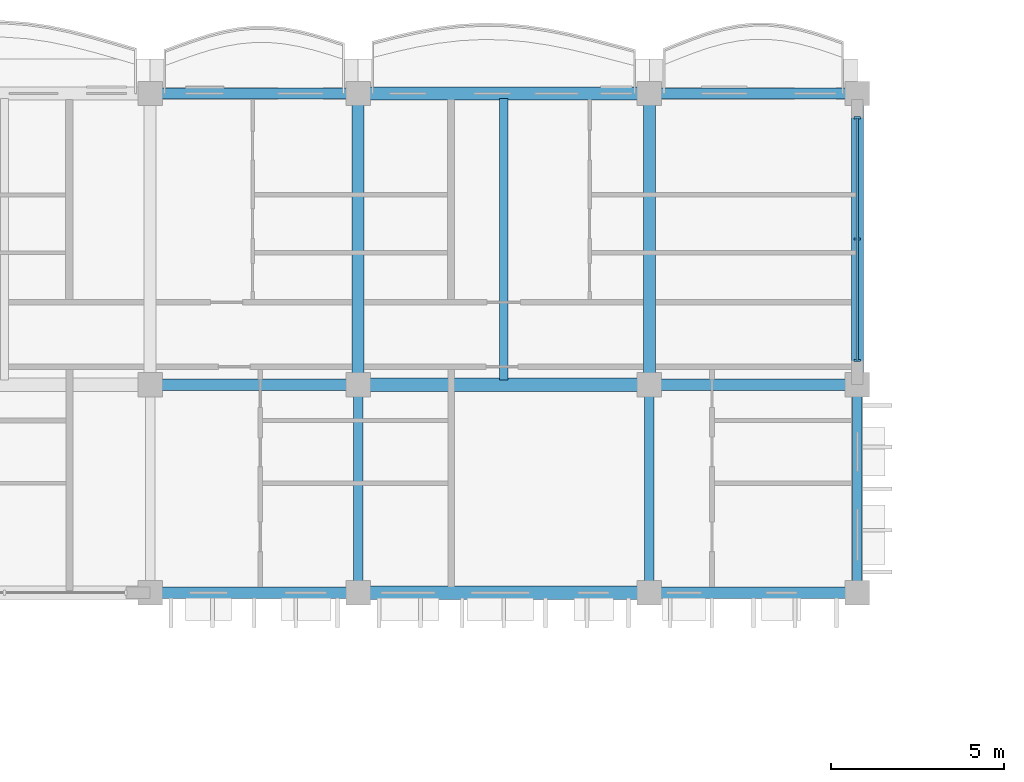
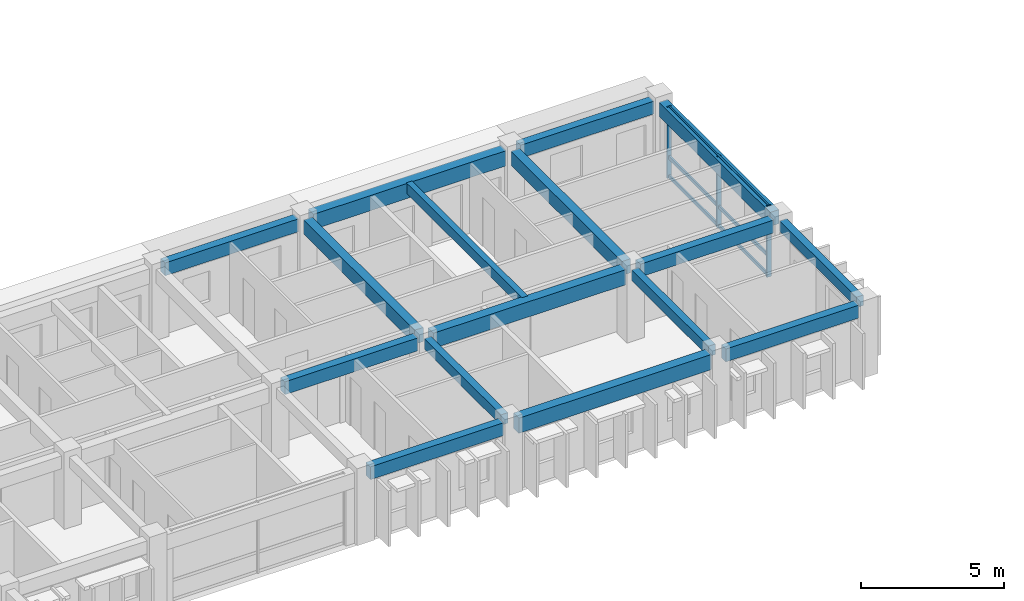
# One storey, part 10 of 76: 16 beams, 6 members, 1 element without a shape of its own.
"""IFC4 building model written with IfcOpenShell, lengths in metres."""

import ifcopenshell
import ifcopenshell.guid

model = None  # the IFC model being written
_history = None  # IfcOwnerHistory: only IFC2X3 demands one
_inside = {}  # id of a spatial element -> (the spatial element, [elements in it])
_under = {}  # id of a project, library or spatial element -> (it, [spatial elements below it])
_declared = {}  # id of a project -> (the project, [libraries it declares])
_typed = {}  # id of a type object -> (the type object, [elements of that type])
_made_of = {}  # id of a material, layer set ... -> (it, [elements and type objects made of it])


def new_model(schema):
    """Start an empty IFC model of exactly this schema.

    Asked for "IFC4X3", IfcOpenShell would pick the latest addendum, in which some entities
    have other attributes; the version numbers below select the first issue.
    IFC2X3 requires an IfcOwnerHistory on every rooted entity: one is made here for all.
    """
    global model, _history
    if schema == "IFC4X3":
        model = ifcopenshell.file(schema_version=(4, 3, 0, 0))
    else:
        model = ifcopenshell.file(schema=schema)
    _inside.clear()
    _under.clear()
    _declared.clear()
    _typed.clear()
    _made_of.clear()
    _history = None
    if model.schema == "IFC2X3":
        org = make("IfcOrganization", Name="unknown")
        user = make(
            "IfcPersonAndOrganization",
            ThePerson=make("IfcPerson", FamilyName="unknown"),
            TheOrganization=org,
        )
        app = make(
            "IfcApplication",
            ApplicationDeveloper=org,
            Version="unknown",
            ApplicationFullName="unknown",
            ApplicationIdentifier="unknown",
        )
        _history = make(
            "IfcOwnerHistory",
            OwningUser=user,
            OwningApplication=app,
            ChangeAction="ADDED",
            CreationDate=0,
        )
    return model


def make(cls, **values):
    """One entity of the class cls with the attributes given. An attribute that is None is left unset."""
    return model.create_entity(
        cls, **{name: value for name, value in values.items() if value is not None}
    )


def rooted(cls, **values):
    """An entity with a GlobalId (a new one), such as an element, a storey or a relation."""
    return make(cls, GlobalId=ifcopenshell.guid.new(), OwnerHistory=_history, **values)


def si_unit(unit_type, name, prefix=None):
    """IfcSIUnit, for example si_unit("LENGTHUNIT", "METRE", prefix="MILLI")."""
    return make("IfcSIUnit", UnitType=unit_type, Prefix=prefix, Name=name)


def assignment(units):
    """IfcUnitAssignment: the units of a project."""
    return None if units is None else make("IfcUnitAssignment", Units=units)


def point(xyz):
    """IfcCartesianPoint."""
    return None if xyz is None else make("IfcCartesianPoint", Coordinates=xyz)


def direction(xyz):
    """IfcDirection."""
    return None if xyz is None else make("IfcDirection", DirectionRatios=xyz)


def frame(location, z_axis=None, x_axis=None):
    """IfcAxis2Placement3D, a coordinate frame: its origin and axes. An axis left out is left unset."""
    return make(
        "IfcAxis2Placement3D",
        Location=point(location),
        Axis=direction(z_axis),
        RefDirection=direction(x_axis),
    )


def frame_2d(location, x_axis=None):
    """IfcAxis2Placement2D, a coordinate frame in the plane: its origin and x axis."""
    return make(
        "IfcAxis2Placement2D", Location=point(location), RefDirection=direction(x_axis)
    )


def origin():
    """The frame at (0, 0, 0) with its axes left unset."""
    return frame((0.0, 0.0, 0.0))


def origin_2d():
    """The frame at (0, 0) in the plane with its x axis left unset."""
    return frame_2d((0.0, 0.0))


def place(relative_to, where):
    """IfcLocalPlacement: puts the frame where relative to a parent placement (None: the world)."""
    return make(
        "IfcLocalPlacement", PlacementRelTo=relative_to, RelativePlacement=where
    )


def context(
    kind, dimensions, precision=None, world=None, true_north=None, identifier=None
):
    """IfcGeometricRepresentationContext, for example the 3D "Model" context."""
    return make(
        "IfcGeometricRepresentationContext",
        ContextIdentifier=identifier,
        ContextType=kind,
        CoordinateSpaceDimension=dimensions,
        Precision=precision,
        WorldCoordinateSystem=world,
        TrueNorth=true_north,
    )


def subcontext(parent, identifier, kind, view, scale=None):
    """IfcGeometricRepresentationSubContext, for example "Body" below "Model"."""
    return make(
        "IfcGeometricRepresentationSubContext",
        ContextIdentifier=identifier,
        ContextType=kind,
        ParentContext=parent,
        TargetScale=scale,
        TargetView=view,
    )


def project(units=None, contexts=None):
    """IfcProject with its units and contexts."""
    return rooted(
        "IfcProject",
        Name="project",
        RepresentationContexts=contexts,
        UnitsInContext=assignment(units),
    )


def spatial(cls, under=None, at=None, **own):
    """A site, building, storey or space (cls), placed at a placement, below another one or the project."""
    s = rooted(cls, ObjectPlacement=at, **own)
    if under is not None:
        _under.setdefault(under.id(), (under, []))[1].append(s)
    return s


def profile(cls, at=None, kind="AREA", **sizes):
    """A parametric profile (cls). Its sizes go by their IFC names, for example OverallWidth=200.0."""
    return make(cls, ProfileType=kind, Position=at, **sizes)


def rectangle(**sizes):
    """IfcRectangleProfileDef."""
    return profile("IfcRectangleProfileDef", **sizes)


def extrude(swept, where, along, depth):
    """IfcExtrudedAreaSolid: the profile swept, set in the frame where, extruded along a direction by depth."""
    return make(
        "IfcExtrudedAreaSolid",
        SweptArea=swept,
        Position=where,
        ExtrudedDirection=direction(along),
        Depth=depth,
    )


def shape(context_of_items, identifier, shape_type, items):
    """IfcShapeRepresentation: the items that make up one representation, for example the "Body"."""
    return make(
        "IfcShapeRepresentation",
        ContextOfItems=context_of_items,
        RepresentationIdentifier=identifier,
        RepresentationType=shape_type,
        Items=items,
    )


def material(Name=None, Category=None):
    """IfcMaterial."""
    return make("IfcMaterial", Name=Name, Category=Category)


def material_profile(
    of_material, cross_section, Name=None, Category=None, Priority=None
):
    """IfcMaterialProfile: a cross section and its material."""
    return make(
        "IfcMaterialProfile",
        Name=Name,
        Material=of_material,
        Profile=cross_section,
        Priority=Priority,
        Category=Category,
    )


def profile_set(profiles, Name=None, composite=None):
    """IfcMaterialProfileSet."""
    return make(
        "IfcMaterialProfileSet",
        Name=Name,
        MaterialProfiles=profiles,
        CompositeProfile=composite,
    )


def made_of(thing, what):
    """Note that an element or type object is made of a material, layer set ...; save() writes the relation."""
    if what is not None:
        _made_of.setdefault(what.id(), (what, []))[1].append(thing)
    return thing


def type_object(cls, material=None, **own):
    """A type object (cls), such as IfcWallType, which elements share."""
    return made_of(rooted(cls, **own), material)


def element(
    cls,
    number,
    at=None,
    inside=None,
    cuts=None,
    type_object=None,
    material=None,
    context=None,
    identifier="Body",
    shape_type=None,
    held_by="IfcProductDefinitionShape",
    body=None,
    shapes=None,
    **own,
):
    """One element of the class cls, such as IfcWall. Its Tag is "e" and its number.

    at: its placement. inside: the storey or other place that contains it. cuts: it is an
    opening in that element (IfcRelVoidsElement). A single representation is given by context,
    identifier, shape_type and body (its items); several are given by shapes. held_by: the class
    of the entity that holds the representations. save() writes the other relations.
    """
    e = rooted(cls, Tag="e%d" % number, ObjectPlacement=at, **own)
    if body is not None:
        shapes = [shape(context, identifier, shape_type, body)]
    if shapes is not None:
        e.Representation = make(held_by, Representations=shapes)
    if inside is not None:
        _inside.setdefault(inside.id(), (inside, []))[1].append(e)
    if cuts is not None:
        rooted(
            "IfcRelVoidsElement", RelatingBuildingElement=cuts, RelatedOpeningElement=e
        )
    if type_object is not None:
        _typed.setdefault(type_object.id(), (type_object, []))[1].append(e)
    return made_of(e, material)


def aggregate(whole, parts):
    """IfcRelAggregates: a whole, such as a stair, and the parts it consists of."""
    return rooted("IfcRelAggregates", RelatingObject=whole, RelatedObjects=parts)


def save(model, path):
    """Write the relations noted so far, then the file.

    IfcRelAggregates (storeys below a building ...), IfcRelContainedInSpatialStructure (elements
    in a storey), IfcRelDefinesByType, IfcRelAssociatesMaterial and IfcRelDeclares: one each for
    every whole, place, type object, material and project.
    """
    for whole, parts in _under.values():
        aggregate(whole, parts)
    for where, things in _inside.values():
        rooted(
            "IfcRelContainedInSpatialStructure",
            RelatedElements=things,
            RelatingStructure=where,
        )
    for kind, things in _typed.values():
        rooted("IfcRelDefinesByType", RelatedObjects=things, RelatingType=kind)
    for what, things in _made_of.values():
        rooted("IfcRelAssociatesMaterial", RelatedObjects=things, RelatingMaterial=what)
    for by, libraries in _declared.values():
        rooted("IfcRelDeclares", RelatingContext=by, RelatedDefinitions=libraries)
    model.write(path)


model = new_model("IFC4")

# Units and contexts
model_context = context("Model", 3, precision=1e-05, world=origin(), true_north=direction((0.0, 1.0)))
body_context = subcontext(model_context, "Body", "Model", "MODEL_VIEW")
ifc_project = project(units=[si_unit("LENGTHUNIT", "METRE"), si_unit("AREAUNIT", "SQUARE_METRE"), si_unit("VOLUMEUNIT", "CUBIC_METRE"), si_unit("PLANEANGLEUNIT", "RADIAN"), si_unit("MASSUNIT", "GRAM", prefix="KILO"), si_unit("THERMODYNAMICTEMPERATUREUNIT", "KELVIN")], contexts=[model_context])

# Site, building, storey
site_placement = place(None, origin())
site = spatial("IfcSite", under=ifc_project, at=site_placement, CompositionType="ELEMENT")
building_placement = place(site_placement, origin())
building = spatial("IfcBuilding", under=site, at=building_placement, Name="Thalorik Housing Commons", CompositionType="ELEMENT")
storey_placement = place(building_placement, frame((0.0, 0.0, 18.0)))
storey = spatial("IfcBuildingStorey", under=building, at=storey_placement, Name="L05", CompositionType="ELEMENT", Elevation=18.0)

# Curtain wall, members
ifc_material_1 = material(Name="Anodised aluminium and solar-control low-E glass", Category="aluminium")
curtain_wall_type = type_object("IfcCurtainWallType", Name="ARC-CW-LOUNGE", PredefinedType="USERDEFINED", material=ifc_material_1)
curtain_wall_placement = place(storey_placement, origin())
curtain_wall = element("IfcCurtainWall", 1, at=curtain_wall_placement, inside=storey, type_object=curtain_wall_type, Name="L05 Curtain Wall CW-RES-L05-A-021", ObjectType="CURTAIN WALL", PredefinedType="USERDEFINED")
ifc_material_2 = material(Name="Anodised aluminium 6063-T6", Category="aluminium")
ifc_material_profile_1 = material_profile(ifc_material_2, rectangle(XDim=0.06494140625, YDim=0.179931640625, at=origin_2d()), Name="ALU MUL 65x180", Category="aluminium")
ifc_profile_set_1 = profile_set([ifc_material_profile_1], Name="Anodised aluminium 6063-T6")
member_type_1 = type_object("IfcMemberType", Name="ARC-CW-MUL-65x180", PredefinedType="MULLION", material=ifc_profile_set_1)
member_1_placement = place(storey_placement, frame((57.60009765625, 115.89990234375, 0.0), z_axis=(0.0, 0.0, 1.0), x_axis=(0.0, 1.0, 0.0)))
member_1 = element("IfcMember", 2, at=member_1_placement, type_object=member_type_1, Name="CW-RES-L05-A-021 Mullion 1", PredefinedType="MULLION", context=body_context, shape_type="SweptSolid", body=[
    extrude(rectangle(XDim=0.06494140625, YDim=0.179931640625, at=origin_2d()), origin(), (0.0, 0.0, 1.0), 3.0400390625),
])
member_2_placement = place(storey_placement, frame((57.60009765625, 119.39990234375, 0.0), z_axis=(0.0, 0.0, 1.0), x_axis=(0.0, 1.0, 0.0)))
member_2 = element("IfcMember", 3, at=member_2_placement, type_object=member_type_1, Name="CW-RES-L05-A-021 Mullion 2", PredefinedType="MULLION", context=body_context, shape_type="SweptSolid", body=[
    extrude(rectangle(XDim=0.06494140625, YDim=0.179931640625, at=origin_2d()), origin(), (0.0, 0.0, 1.0), 3.0400390625),
])
member_3_placement = place(storey_placement, frame((57.60009765625, 122.89990234375, 0.0), z_axis=(0.0, 0.0, 1.0), x_axis=(0.0, 1.0, 0.0)))
member_3 = element("IfcMember", 4, at=member_3_placement, type_object=member_type_1, Name="CW-RES-L05-A-021 Mullion 3", PredefinedType="MULLION", context=body_context, shape_type="SweptSolid", body=[
    extrude(rectangle(XDim=0.06494140625, YDim=0.179931640625, at=origin_2d()), origin(), (0.0, 0.0, 1.0), 3.0400390625),
])
ifc_material_profile_2 = material_profile(ifc_material_2, rectangle(XDim=0.06494140625, YDim=0.14990234375, at=origin_2d()), Name="ALU TRN 65x150", Category="aluminium")
ifc_profile_set_2 = profile_set([ifc_material_profile_2], Name="Anodised aluminium 6063-T6")
member_type_2 = type_object("IfcMemberType", Name="ARC-CW-TRN-65x150", PredefinedType="USERDEFINED", material=ifc_profile_set_2)
member_4_placement = place(storey_placement, frame((57.60009765625, 115.89990234375, 0.054931640625), z_axis=(0.0, 1.0, 0.0), x_axis=(-1.0, 0.0, 0.0)))
member_4 = element("IfcMember", 5, at=member_4_placement, type_object=member_type_2, Name="CW-RES-L05-A-021 Transom 1", ObjectType="TRANSOM", PredefinedType="USERDEFINED", context=body_context, shape_type="SweptSolid", body=[
    extrude(rectangle(XDim=0.06494140625, YDim=0.14990234375, at=origin_2d()), origin(), (0.0, 0.0, 1.0), 7.0),
])
member_5_placement = place(storey_placement, frame((57.60009765625, 115.89990234375, 0.8798828125), z_axis=(0.0, 1.0, 0.0), x_axis=(-1.0, 0.0, 0.0)))
member_5 = element("IfcMember", 6, at=member_5_placement, type_object=member_type_2, Name="CW-RES-L05-A-021 Transom 2", ObjectType="TRANSOM", PredefinedType="USERDEFINED", context=body_context, shape_type="SweptSolid", body=[
    extrude(rectangle(XDim=0.06494140625, YDim=0.14990234375, at=origin_2d()), origin(), (0.0, 0.0, 1.0), 7.0),
])
member_6_placement = place(storey_placement, frame((57.60009765625, 115.89990234375, 2.985107421875), z_axis=(0.0, 1.0, 0.0), x_axis=(-1.0, 0.0, 0.0)))
member_6 = element("IfcMember", 7, at=member_6_placement, type_object=member_type_2, Name="CW-RES-L05-A-021 Transom 3", ObjectType="TRANSOM", PredefinedType="USERDEFINED", context=body_context, shape_type="SweptSolid", body=[
    extrude(rectangle(XDim=0.06494140625, YDim=0.14990234375, at=origin_2d()), origin(), (0.0, 0.0, 1.0), 7.0),
])
aggregate(curtain_wall, [member_1, member_2, member_3, member_4, member_5, member_6])

# Beams
ifc_material_3 = material(Name="Precast concrete C40/50", Category="concrete")
ifc_material_profile_3 = material_profile(ifc_material_3, rectangle(XDim=0.280029296875, YDim=0.449951171875, at=origin_2d()), Name="PC 280x450", Category="concrete")
ifc_profile_set_3 = profile_set([ifc_material_profile_3], Name="Precast concrete C40/50")
beam_type_1 = type_object("IfcBeamType", Name="STR-BM-PC280x450", PredefinedType="BEAM", material=ifc_profile_set_3)
for number, where, z_axis, x_axis, name in (
    (8, (43.199951171875, 109.5, 2.81494140625), (0.0, 1.0, 0.0), (-1.0, 0.0, 0.0), "L05 Beam B-450"),
    (9, (51.60009765625, 109.5, 2.81494140625), (0.0, 1.0, 0.0), (-1.0, 0.0, 0.0), "L05 Beam B-450"),
    (10, (57.60009765625, 109.5, 2.81494140625), (0.0, 1.0, 0.0), (-1.0, 0.0, 0.0), "L05 Beam B-450"),
):
    element("IfcBeam", number, at=place(storey_placement, frame(where, z_axis=z_axis, x_axis=x_axis)), inside=storey, type_object=beam_type_1, Name=name, PredefinedType="BEAM", context=body_context, shape_type="SweptSolid", body=[
        extrude(rectangle(XDim=0.280029296875, YDim=0.449951171875, at=origin_2d()), origin(), (0.0, 0.0, 1.0), 5.39990234375),
    ])
ifc_material_profile_4 = material_profile(ifc_material_3, rectangle(XDim=0.320068359375, YDim=0.550048828125, at=origin_2d()), Name="PC 320x550", Category="concrete")
ifc_profile_set_4 = profile_set([ifc_material_profile_4], Name="Precast concrete C40/50")
beam_type_2 = type_object("IfcBeamType", Name="STR-BM-PC320x550", PredefinedType="BEAM", material=ifc_profile_set_4)
beam_1_placement = place(storey_placement, frame((37.5, 109.199951171875, 2.764892578125), z_axis=(1.0, 0.0, 0.0), x_axis=(0.0, 1.0, 0.0)))
element("IfcBeam", 11, at=beam_1_placement, inside=storey, type_object=beam_type_2, Name="L05 Beam B-550", PredefinedType="BEAM", context=body_context, shape_type="SweptSolid", body=[
    extrude(rectangle(XDim=0.320068359375, YDim=0.550048828125, at=origin_2d()), origin(), (0.0, 0.0, 1.0), 5.39990234375),
])
beam_2_placement = place(storey_placement, frame((51.89990234375, 109.199951171875, 2.764892578125), z_axis=(1.0, 0.0, 0.0), x_axis=(0.0, 1.0, 0.0)))
element("IfcBeam", 12, at=beam_2_placement, inside=storey, type_object=beam_type_2, Name="L05 Beam B-550", PredefinedType="BEAM", context=body_context, shape_type="SweptSolid", body=[
    extrude(rectangle(XDim=0.320068359375, YDim=0.550048828125, at=origin_2d()), origin(), (0.0, 0.0, 1.0), 5.400146484375),
])
beam_3_placement = place(storey_placement, frame((37.5, 115.199951171875, 2.764892578125), z_axis=(1.0, 0.0, 0.0), x_axis=(0.0, 1.0, 0.0)))
element("IfcBeam", 13, at=beam_3_placement, inside=storey, type_object=beam_type_2, Name="L05 Beam B-550", PredefinedType="BEAM", context=body_context, shape_type="SweptSolid", body=[
    extrude(rectangle(XDim=0.320068359375, YDim=0.550048828125, at=origin_2d()), origin(), (0.0, 0.0, 1.0), 5.39990234375),
])
beam_4_placement = place(storey_placement, frame((51.89990234375, 115.199951171875, 2.764892578125), z_axis=(1.0, 0.0, 0.0), x_axis=(0.0, 1.0, 0.0)))
element("IfcBeam", 14, at=beam_4_placement, inside=storey, type_object=beam_type_2, Name="L05 Beam B-550", PredefinedType="BEAM", context=body_context, shape_type="SweptSolid", body=[
    extrude(rectangle(XDim=0.320068359375, YDim=0.550048828125, at=origin_2d()), origin(), (0.0, 0.0, 1.0), 5.400146484375),
])
beam_5_placement = place(storey_placement, frame((37.5, 123.60009765625, 2.764892578125), z_axis=(1.0, 0.0, 0.0), x_axis=(0.0, 1.0, 0.0)))
element("IfcBeam", 15, at=beam_5_placement, inside=storey, type_object=beam_type_2, Name="L05 Beam B-550", PredefinedType="BEAM", context=body_context, shape_type="SweptSolid", body=[
    extrude(rectangle(XDim=0.320068359375, YDim=0.550048828125, at=origin_2d()), origin(), (0.0, 0.0, 1.0), 5.39990234375),
])
beam_6_placement = place(storey_placement, frame((51.89990234375, 123.60009765625, 2.764892578125), z_axis=(1.0, 0.0, 0.0), x_axis=(0.0, 1.0, 0.0)))
element("IfcBeam", 16, at=beam_6_placement, inside=storey, type_object=beam_type_2, Name="L05 Beam B-550", PredefinedType="BEAM", context=body_context, shape_type="SweptSolid", body=[
    extrude(rectangle(XDim=0.320068359375, YDim=0.550048828125, at=origin_2d()), origin(), (0.0, 0.0, 1.0), 5.400146484375),
])
ifc_material_profile_5 = material_profile(ifc_material_3, rectangle(XDim=0.35009765625, YDim=0.60009765625, at=origin_2d()), Name="PC 350x600", Category="concrete")
ifc_profile_set_5 = profile_set([ifc_material_profile_5], Name="Precast concrete C40/50")
beam_type_3 = type_object("IfcBeamType", Name="STR-BM-PC350x600", PredefinedType="BEAM", material=ifc_profile_set_5)
for number, where, z_axis, x_axis, name in (
    (17, (43.199951171875, 115.5, 2.739990234375), (0.0, 1.0, 0.0), (-1.0, 0.0, 0.0), "L05 Beam B-600"),
    (18, (51.60009765625, 115.5, 2.739990234375), (0.0, 1.0, 0.0), (-1.0, 0.0, 0.0), "L05 Beam B-600"),
    (19, (57.60009765625, 115.5, 2.739990234375), (0.0, 1.0, 0.0), (-1.0, 0.0, 0.0), "L05 Beam B-600"),
):
    element("IfcBeam", number, at=place(storey_placement, frame(where, z_axis=z_axis, x_axis=x_axis)), inside=storey, type_object=beam_type_3, Name=name, PredefinedType="BEAM", context=body_context, shape_type="SweptSolid", body=[
        extrude(rectangle(XDim=0.35009765625, YDim=0.60009765625, at=origin_2d()), origin(), (0.0, 0.0, 1.0), 7.800048828125),
    ])
ifc_material_profile_6 = material_profile(ifc_material_3, rectangle(XDim=0.3798828125, YDim=0.64990234375, at=origin_2d()), Name="PC 380x650", Category="concrete")
ifc_profile_set_6 = profile_set([ifc_material_profile_6], Name="Precast concrete C40/50")
beam_type_4 = type_object("IfcBeamType", Name="STR-BM-PC380x650", PredefinedType="BEAM", material=ifc_profile_set_6)
for number, where, z_axis, x_axis, name in (
    (20, (43.5, 109.199951171875, 2.715087890625), (1.0, 0.0, 0.0), (0.0, 1.0, 0.0), "L05 Beam B-650"),
    (21, (43.5, 115.199951171875, 2.715087890625), (1.0, 0.0, 0.0), (0.0, 1.0, 0.0), "L05 Beam B-650"),
    (22, (43.5, 123.60009765625, 2.715087890625), (1.0, 0.0, 0.0), (0.0, 1.0, 0.0), "L05 Beam B-650"),
):
    element("IfcBeam", number, at=place(storey_placement, frame(where, z_axis=z_axis, x_axis=x_axis)), inside=storey, type_object=beam_type_4, Name=name, PredefinedType="BEAM", context=body_context, shape_type="SweptSolid", body=[
        extrude(rectangle(XDim=0.3798828125, YDim=0.64990234375, at=origin_2d()), origin(), (0.0, 0.0, 1.0), 7.800048828125),
    ])
ifc_material_profile_7 = material_profile(ifc_material_3, rectangle(XDim=0.239990234375, YDim=0.43994140625, at=origin_2d()), Name="PC JST 240x440", Category="concrete")
ifc_profile_set_7 = profile_set([ifc_material_profile_7], Name="Precast concrete C40/50")
beam_type_5 = type_object("IfcBeamType", Name="STR-JST-PC240x440", PredefinedType="JOIST", material=ifc_profile_set_7)
beam_7_placement = place(storey_placement, frame((47.39990234375, 115.340087890625, 2.820068359375), z_axis=(0.0, 1.0, 0.0), x_axis=(-1.0, 0.0, 0.0)))
element("IfcBeam", 23, at=beam_7_placement, inside=storey, type_object=beam_type_5, Name="L05 Beam J-440", PredefinedType="JOIST", context=body_context, shape_type="SweptSolid", body=[
    extrude(rectangle(XDim=0.239990234375, YDim=0.43994140625, at=origin_2d()), origin(), (0.0, 0.0, 1.0), 8.119873046875),
])

save(model, "model.ifc")
